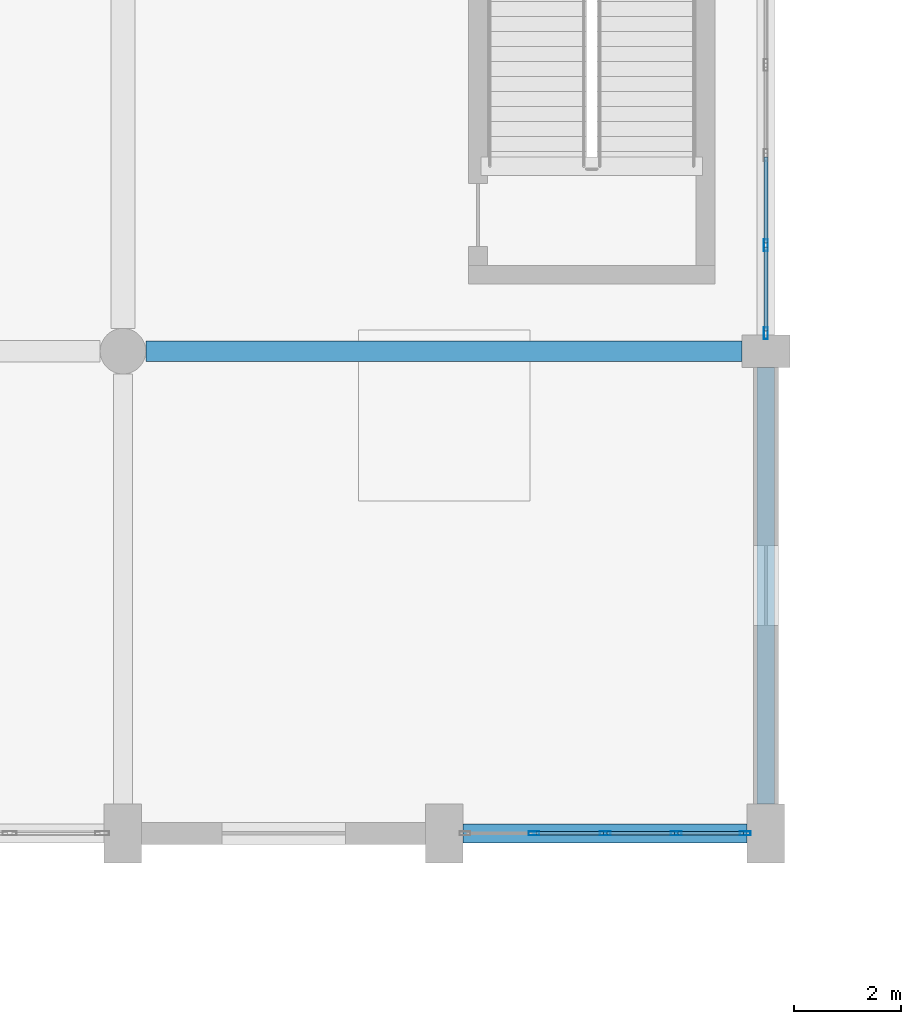
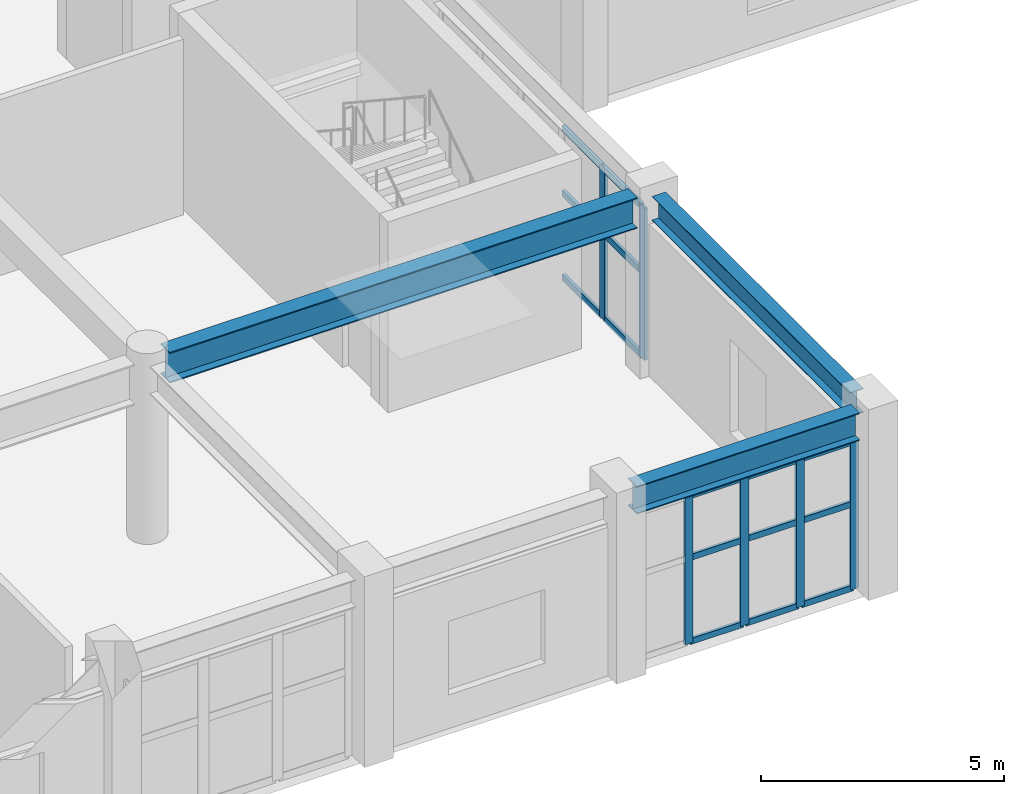
# One storey, part 24 of 96: 21 members, 3 beams, 2 elements without a shape of their own.
"""IFC4 building model written with IfcOpenShell, lengths in metres."""

from ifc_helpers import new_model, si_unit, direction, frame, origin, origin_2d, place, context, subcontext, project, spatial, hollow_rectangle, i_section, extrude, material, layer, layer_set, material_profile, profile_set, type_object, element, aggregate, save


model = new_model("IFC4")

# Units and contexts
model_context = context("Model", 3, precision=1e-05, world=origin(), true_north=direction((0.0, 1.0)))
body_context = subcontext(model_context, "Body", "Model", "MODEL_VIEW")
ifc_project = project(units=[si_unit("LENGTHUNIT", "METRE"), si_unit("AREAUNIT", "SQUARE_METRE"), si_unit("VOLUMEUNIT", "CUBIC_METRE"), si_unit("PLANEANGLEUNIT", "RADIAN"), si_unit("MASSUNIT", "GRAM", prefix="KILO")], contexts=[model_context])

# Site, building, storey
site_placement = place(None, origin())
site = spatial("IfcSite", under=ifc_project, at=site_placement, CompositionType="ELEMENT")
building_placement = place(site_placement, origin())
building = spatial("IfcBuilding", under=site, at=building_placement, Name="Vaelkrest Opera House", CompositionType="ELEMENT")
storey_placement = place(building_placement, frame((0.0, 0.0, 5.39990234375)))
storey = spatial("IfcBuildingStorey", under=building, at=storey_placement, Name="L01", CompositionType="ELEMENT", Elevation=5.39990234375)

# Beam
ifc_material_1 = material(Name="Steel A992 Gr50", Category="steel")
ifc_material_profile_1 = material_profile(ifc_material_1, i_section(OverallWidth=0.381103515625, OverallDepth=0.77294921875, WebThickness=0.0166015625, FlangeThickness=0.027099609375, at=origin_2d()), Name="W30X173")
ifc_profile_set_1 = profile_set([ifc_material_profile_1], Name="Steel A992 Gr50")
beam_type_1 = type_object("IfcBeamType", Name="B11", PredefinedType="BEAM", material=ifc_profile_set_1)
beam_1_placement = place(storey_placement, frame((18.425048828125, -46.800048828125, 4.113525390625), z_axis=(1.0, 0.0, 0.0), x_axis=(0.0, 1.0, 0.0)))
element("IfcBeam", 1, at=beam_1_placement, inside=storey, type_object=beam_type_1, Name="Beam BM-V1-L01-0217", PredefinedType="BEAM", context=body_context, shape_type="SweptSolid", body=[
    extrude(i_section(OverallWidth=0.381103515625, OverallDepth=0.77294921875, WebThickness=0.0166015625, FlangeThickness=0.027099609375, at=origin_2d()), origin(), (0.0, 0.0, 1.0), 11.125),
])

# Curtain wall, members
ifc_material_2 = material(Name="Dark bronze anodized aluminium", Category="aluminium")
ifc_layer_1 = layer(ifc_material_2, 0.18994140625)
ifc_layer_set_1 = layer_set([ifc_layer_1], Name="Dark bronze anodized aluminium")
curtain_wall_type_1 = type_object("IfcCurtainWallType", Name="CW02", PredefinedType="NOTDEFINED", material=ifc_layer_set_1)
curtain_wall_1_placement = place(storey_placement, origin())
curtain_wall_1 = element("IfcCurtainWall", 2, at=curtain_wall_1_placement, inside=storey, type_object=curtain_wall_type_1, Name="Curtain wall CW-L01-020", PredefinedType="NOTDEFINED")
ifc_material_profile_2 = material_profile(ifc_material_2, hollow_rectangle(XDim=0.070068359375, YDim=0.199951171875, WallThickness=0.004150390625, at=origin_2d()), Name="CWM70X200")
ifc_profile_set_2 = profile_set([ifc_material_profile_2], Name="Dark bronze anodized aluminium")
member_type_1 = type_object("IfcMemberType", Name="CWM02", PredefinedType="MULLION", material=ifc_profile_set_2)
member_1_placement = place(storey_placement, frame((29.616943359375, -55.800048828125, 0.0), z_axis=(0.0, 0.0, 1.0), x_axis=(0.0, -1.0, 0.0)))
member_1 = element("IfcMember", 3, at=member_1_placement, type_object=member_type_1, Name="CW02 mullion 1", PredefinedType="MULLION", context=body_context, shape_type="SweptSolid", body=[
    extrude(hollow_rectangle(XDim=0.070068359375, YDim=0.199951171875, WallThickness=0.004150390625, at=origin_2d()), origin(), (0.0, 0.0, 1.0), 3.739990234375),
])
member_2_placement = place(storey_placement, frame((28.325927734375, -55.800048828125, 0.0), z_axis=(0.0, 0.0, 1.0), x_axis=(0.0, -1.0, 0.0)))
member_2 = element("IfcMember", 4, at=member_2_placement, type_object=member_type_1, Name="CW02 mullion 2", PredefinedType="MULLION", context=body_context, shape_type="SweptSolid", body=[
    extrude(hollow_rectangle(XDim=0.070068359375, YDim=0.199951171875, WallThickness=0.004150390625, at=origin_2d()), origin(), (0.0, 0.0, 1.0), 3.739990234375),
])
member_3_placement = place(storey_placement, frame((27.0, -55.800048828125, 0.0), z_axis=(0.0, 0.0, 1.0), x_axis=(0.0, -1.0, 0.0)))
member_3 = element("IfcMember", 5, at=member_3_placement, type_object=member_type_1, Name="CW02 mullion 3", PredefinedType="MULLION", context=body_context, shape_type="SweptSolid", body=[
    extrude(hollow_rectangle(XDim=0.070068359375, YDim=0.199951171875, WallThickness=0.004150390625, at=origin_2d()), origin(), (0.0, 0.0, 1.0), 3.739990234375),
])
member_4_placement = place(storey_placement, frame((25.674072265625, -55.800048828125, 0.0), z_axis=(0.0, 0.0, 1.0), x_axis=(0.0, -1.0, 0.0)))
member_4 = element("IfcMember", 6, at=member_4_placement, type_object=member_type_1, Name="CW02 mullion 4", PredefinedType="MULLION", context=body_context, shape_type="SweptSolid", body=[
    extrude(hollow_rectangle(XDim=0.070068359375, YDim=0.199951171875, WallThickness=0.004150390625, at=origin_2d()), origin(), (0.0, 0.0, 1.0), 3.739990234375),
])

ifc_layer_2 = layer(ifc_material_2, 0.199951171875)
ifc_layer_set_2 = layer_set([ifc_layer_2], Name="Dark bronze anodized aluminium")
curtain_wall_type_2 = type_object("IfcCurtainWallType", Name="CW03", PredefinedType="NOTDEFINED", material=ifc_layer_set_2)
curtain_wall_2_placement = place(storey_placement, origin())
curtain_wall_2 = element("IfcCurtainWall", 7, at=curtain_wall_2_placement, inside=storey, type_object=curtain_wall_type_2, Name="Curtain wall CW-L01-030", PredefinedType="NOTDEFINED")
ifc_material_profile_3 = material_profile(ifc_material_2, hollow_rectangle(XDim=0.074951171875, YDim=0.219970703125, WallThickness=0.00439453125, at=origin_2d()), Name="CWM75X220")
ifc_profile_set_3 = profile_set([ifc_material_profile_3], Name="Dark bronze anodized aluminium")
member_type_2 = type_object("IfcMemberType", Name="CWM03", PredefinedType="MULLION", material=ifc_profile_set_3)
member_5_placement = place(storey_placement, frame((30.0, -44.8212890625, 0.0), z_axis=(0.0, 0.0, 1.0), x_axis=(1.0, 0.0, 0.0)))
member_5 = element("IfcMember", 8, at=member_5_placement, type_object=member_type_2, Name="CW03 mullion 5", PredefinedType="MULLION", context=body_context, shape_type="SweptSolid", body=[
    extrude(hollow_rectangle(XDim=0.074951171875, YDim=0.219970703125, WallThickness=0.00439453125, at=origin_2d()), origin(), (0.0, 0.0, 1.0), 3.82421875),
])
member_6_placement = place(storey_placement, frame((30.0, -46.464599609375, 0.0), z_axis=(0.0, 0.0, 1.0), x_axis=(1.0, 0.0, 0.0)))
member_6 = element("IfcMember", 9, at=member_6_placement, type_object=member_type_2, Name="CW03 mullion 6", PredefinedType="MULLION", context=body_context, shape_type="SweptSolid", body=[
    extrude(hollow_rectangle(XDim=0.074951171875, YDim=0.219970703125, WallThickness=0.00439453125, at=origin_2d()), origin(), (0.0, 0.0, 1.0), 3.82421875),
])

# Member
ifc_material_profile_4 = material_profile(ifc_material_2, hollow_rectangle(XDim=0.070068359375, YDim=0.14990234375, WallThickness=0.004150390625, at=origin_2d()), Name="CWT70X150")
ifc_profile_set_4 = profile_set([ifc_material_profile_4], Name="Dark bronze anodized aluminium")
member_type_3 = type_object("IfcMemberType", Name="CWT02", PredefinedType="USERDEFINED", material=ifc_profile_set_4)
member_7_placement = place(storey_placement, frame((29.58203125, -55.800048828125, 0.03515625), z_axis=(-1.0, 0.0, 0.0), x_axis=(0.0, -1.0, 0.0)))
member_7 = element("IfcMember", 10, at=member_7_placement, type_object=member_type_3, Name="CW02 transom 1.1", ObjectType="TRANSOM", PredefinedType="USERDEFINED", context=body_context, shape_type="SweptSolid", body=[
    extrude(hollow_rectangle(XDim=0.070068359375, YDim=0.14990234375, WallThickness=0.004150390625, at=origin_2d()), origin(), (0.0, 0.0, 1.0), 1.220947265625),
])

member_8_placement = place(storey_placement, frame((29.58203125, -55.800048828125, 2.150146484375), z_axis=(-1.0, 0.0, 0.0), x_axis=(0.0, -1.0, 0.0)))
member_8 = element("IfcMember", 11, at=member_8_placement, type_object=member_type_3, Name="CW02 transom 1.2", ObjectType="TRANSOM", PredefinedType="USERDEFINED", context=body_context, shape_type="SweptSolid", body=[
    extrude(hollow_rectangle(XDim=0.070068359375, YDim=0.14990234375, WallThickness=0.004150390625, at=origin_2d()), origin(), (0.0, 0.0, 1.0), 1.220947265625),
])

member_9_placement = place(storey_placement, frame((29.58203125, -55.800048828125, 3.705078125), z_axis=(-1.0, 0.0, 0.0), x_axis=(0.0, -1.0, 0.0)))
member_9 = element("IfcMember", 12, at=member_9_placement, type_object=member_type_3, Name="CW02 transom 1.3", ObjectType="TRANSOM", PredefinedType="USERDEFINED", context=body_context, shape_type="SweptSolid", body=[
    extrude(hollow_rectangle(XDim=0.070068359375, YDim=0.14990234375, WallThickness=0.004150390625, at=origin_2d()), origin(), (0.0, 0.0, 1.0), 1.220947265625),
])

member_10_placement = place(storey_placement, frame((28.291015625, -55.800048828125, 0.03515625), z_axis=(-1.0, 0.0, 0.0), x_axis=(0.0, -1.0, 0.0)))
member_10 = element("IfcMember", 13, at=member_10_placement, type_object=member_type_3, Name="CW02 transom 2.1", ObjectType="TRANSOM", PredefinedType="USERDEFINED", context=body_context, shape_type="SweptSolid", body=[
    extrude(hollow_rectangle(XDim=0.070068359375, YDim=0.14990234375, WallThickness=0.004150390625, at=origin_2d()), origin(), (0.0, 0.0, 1.0), 1.256103515625),
])

member_11_placement = place(storey_placement, frame((28.291015625, -55.800048828125, 2.150146484375), z_axis=(-1.0, 0.0, 0.0), x_axis=(0.0, -1.0, 0.0)))
member_11 = element("IfcMember", 14, at=member_11_placement, type_object=member_type_3, Name="CW02 transom 2.2", ObjectType="TRANSOM", PredefinedType="USERDEFINED", context=body_context, shape_type="SweptSolid", body=[
    extrude(hollow_rectangle(XDim=0.070068359375, YDim=0.14990234375, WallThickness=0.004150390625, at=origin_2d()), origin(), (0.0, 0.0, 1.0), 1.256103515625),
])

member_12_placement = place(storey_placement, frame((28.291015625, -55.800048828125, 3.705078125), z_axis=(-1.0, 0.0, 0.0), x_axis=(0.0, -1.0, 0.0)))
member_12 = element("IfcMember", 15, at=member_12_placement, type_object=member_type_3, Name="CW02 transom 2.3", ObjectType="TRANSOM", PredefinedType="USERDEFINED", context=body_context, shape_type="SweptSolid", body=[
    extrude(hollow_rectangle(XDim=0.070068359375, YDim=0.14990234375, WallThickness=0.004150390625, at=origin_2d()), origin(), (0.0, 0.0, 1.0), 1.256103515625),
])

member_13_placement = place(storey_placement, frame((26.965087890625, -55.800048828125, 0.03515625), z_axis=(-1.0, 0.0, 0.0), x_axis=(0.0, -1.0, 0.0)))
member_13 = element("IfcMember", 16, at=member_13_placement, type_object=member_type_3, Name="CW02 transom 3.1", ObjectType="TRANSOM", PredefinedType="USERDEFINED", context=body_context, shape_type="SweptSolid", body=[
    extrude(hollow_rectangle(XDim=0.070068359375, YDim=0.14990234375, WallThickness=0.004150390625, at=origin_2d()), origin(), (0.0, 0.0, 1.0), 1.256103515625),
])

member_14_placement = place(storey_placement, frame((26.965087890625, -55.800048828125, 2.150146484375), z_axis=(-1.0, 0.0, 0.0), x_axis=(0.0, -1.0, 0.0)))
member_14 = element("IfcMember", 17, at=member_14_placement, type_object=member_type_3, Name="CW02 transom 3.2", ObjectType="TRANSOM", PredefinedType="USERDEFINED", context=body_context, shape_type="SweptSolid", body=[
    extrude(hollow_rectangle(XDim=0.070068359375, YDim=0.14990234375, WallThickness=0.004150390625, at=origin_2d()), origin(), (0.0, 0.0, 1.0), 1.256103515625),
])

member_15_placement = place(storey_placement, frame((26.965087890625, -55.800048828125, 3.705078125), z_axis=(-1.0, 0.0, 0.0), x_axis=(0.0, -1.0, 0.0)))
member_15 = element("IfcMember", 18, at=member_15_placement, type_object=member_type_3, Name="CW02 transom 3.3", ObjectType="TRANSOM", PredefinedType="USERDEFINED", context=body_context, shape_type="SweptSolid", body=[
    extrude(hollow_rectangle(XDim=0.070068359375, YDim=0.14990234375, WallThickness=0.004150390625, at=origin_2d()), origin(), (0.0, 0.0, 1.0), 1.256103515625),
])

aggregate(curtain_wall_1, [member_1, member_2, member_3, member_4, member_7, member_8, member_9, member_10, member_11, member_12, member_13, member_14, member_15])

ifc_material_profile_5 = material_profile(ifc_material_2, hollow_rectangle(XDim=0.074951171875, YDim=0.159912109375, WallThickness=0.00439453125, at=origin_2d()), Name="CWT75X160")
ifc_profile_set_5 = profile_set([ifc_material_profile_5], Name="Dark bronze anodized aluminium")
member_type_4 = type_object("IfcMemberType", Name="CWT03", PredefinedType="USERDEFINED", material=ifc_profile_set_5)
member_16_placement = place(storey_placement, frame((30.0, -43.177978515625, 0.03759765625), z_axis=(0.0, -1.0, 0.0), x_axis=(1.0, 0.0, 0.0)))
member_16 = element("IfcMember", 19, at=member_16_placement, type_object=member_type_4, Name="CW03 transom 4.1", ObjectType="TRANSOM", PredefinedType="USERDEFINED", context=body_context, shape_type="SweptSolid", body=[
    extrude(hollow_rectangle(XDim=0.074951171875, YDim=0.159912109375, WallThickness=0.00439453125, at=origin_2d()), origin(), (0.0, 0.0, 1.0), 1.605712890625),
])

member_17_placement = place(storey_placement, frame((30.0, -43.177978515625, 2.150146484375), z_axis=(0.0, -1.0, 0.0), x_axis=(1.0, 0.0, 0.0)))
member_17 = element("IfcMember", 20, at=member_17_placement, type_object=member_type_4, Name="CW03 transom 4.2", ObjectType="TRANSOM", PredefinedType="USERDEFINED", context=body_context, shape_type="SweptSolid", body=[
    extrude(hollow_rectangle(XDim=0.074951171875, YDim=0.159912109375, WallThickness=0.00439453125, at=origin_2d()), origin(), (0.0, 0.0, 1.0), 1.605712890625),
])

member_18_placement = place(storey_placement, frame((30.0, -43.177978515625, 3.78662109375), z_axis=(0.0, -1.0, 0.0), x_axis=(1.0, 0.0, 0.0)))
member_18 = element("IfcMember", 21, at=member_18_placement, type_object=member_type_4, Name="CW03 transom 4.3", ObjectType="TRANSOM", PredefinedType="USERDEFINED", context=body_context, shape_type="SweptSolid", body=[
    extrude(hollow_rectangle(XDim=0.074951171875, YDim=0.159912109375, WallThickness=0.00439453125, at=origin_2d()), origin(), (0.0, 0.0, 1.0), 1.605712890625),
])

member_19_placement = place(storey_placement, frame((30.0, -44.858642578125, 0.03759765625), z_axis=(0.0, -1.0, 0.0), x_axis=(1.0, 0.0, 0.0)))
member_19 = element("IfcMember", 22, at=member_19_placement, type_object=member_type_4, Name="CW03 transom 5.1", ObjectType="TRANSOM", PredefinedType="USERDEFINED", context=body_context, shape_type="SweptSolid", body=[
    extrude(hollow_rectangle(XDim=0.074951171875, YDim=0.159912109375, WallThickness=0.00439453125, at=origin_2d()), origin(), (0.0, 0.0, 1.0), 1.568359375),
])

member_20_placement = place(storey_placement, frame((30.0, -44.858642578125, 2.150146484375), z_axis=(0.0, -1.0, 0.0), x_axis=(1.0, 0.0, 0.0)))
member_20 = element("IfcMember", 23, at=member_20_placement, type_object=member_type_4, Name="CW03 transom 5.2", ObjectType="TRANSOM", PredefinedType="USERDEFINED", context=body_context, shape_type="SweptSolid", body=[
    extrude(hollow_rectangle(XDim=0.074951171875, YDim=0.159912109375, WallThickness=0.00439453125, at=origin_2d()), origin(), (0.0, 0.0, 1.0), 1.568359375),
])

member_21_placement = place(storey_placement, frame((30.0, -44.858642578125, 3.78662109375), z_axis=(0.0, -1.0, 0.0), x_axis=(1.0, 0.0, 0.0)))
member_21 = element("IfcMember", 24, at=member_21_placement, type_object=member_type_4, Name="CW03 transom 5.3", ObjectType="TRANSOM", PredefinedType="USERDEFINED", context=body_context, shape_type="SweptSolid", body=[
    extrude(hollow_rectangle(XDim=0.074951171875, YDim=0.159912109375, WallThickness=0.00439453125, at=origin_2d()), origin(), (0.0, 0.0, 1.0), 1.568359375),
])

aggregate(curtain_wall_2, [member_5, member_6, member_16, member_17, member_18, member_19, member_20, member_21])

# Beams
ifc_material_profile_6 = material_profile(ifc_material_1, i_section(OverallWidth=0.323974609375, OverallDepth=0.611083984375, WebThickness=0.0126953125, FlangeThickness=0.01904296875, at=origin_2d()), Name="W24X104")
ifc_profile_set_6 = profile_set([ifc_material_profile_6], Name="Steel A992 Gr50")
beam_type_2 = type_object("IfcBeamType", Name="SP01", PredefinedType="SPANDREL", material=ifc_profile_set_6)
beam_2_placement = place(storey_placement, frame((30.0, -55.25, 4.194580078125), z_axis=(0.0, 1.0, 0.0), x_axis=(-1.0, 0.0, 0.0)))
element("IfcBeam", 25, at=beam_2_placement, inside=storey, type_object=beam_type_2, Name="Beam BM-V1-L01-0291", PredefinedType="SPANDREL", context=body_context, shape_type="SweptSolid", body=[
    extrude(i_section(OverallWidth=0.323974609375, OverallDepth=0.611083984375, WebThickness=0.0126953125, FlangeThickness=0.01904296875, at=origin_2d()), origin(), (0.0, 0.0, 1.0), 8.14990234375),
])
ifc_material_profile_7 = material_profile(ifc_material_1, i_section(OverallWidth=0.35498046875, OverallDepth=0.695068359375, WebThickness=0.015380859375, FlangeThickness=0.02490234375, at=origin_2d()), Name="W27X146")
ifc_profile_set_7 = profile_set([ifc_material_profile_7], Name="Steel A992 Gr50")
beam_type_3 = type_object("IfcBeamType", Name="SP02", PredefinedType="SPANDREL", material=ifc_profile_set_7)
beam_3_placement = place(storey_placement, frame((24.35009765625, -55.800048828125, 4.152587890625), z_axis=(1.0, 0.0, 0.0), x_axis=(0.0, 1.0, 0.0)))
element("IfcBeam", 26, at=beam_3_placement, inside=storey, type_object=beam_type_3, Name="Beam BM-V1-L01-0214", PredefinedType="SPANDREL", context=body_context, shape_type="SweptSolid", body=[
    extrude(i_section(OverallWidth=0.35498046875, OverallDepth=0.695068359375, WebThickness=0.015380859375, FlangeThickness=0.02490234375, at=origin_2d()), origin(), (0.0, 0.0, 1.0), 5.2998046875),
])

save(model, "model.ifc")
